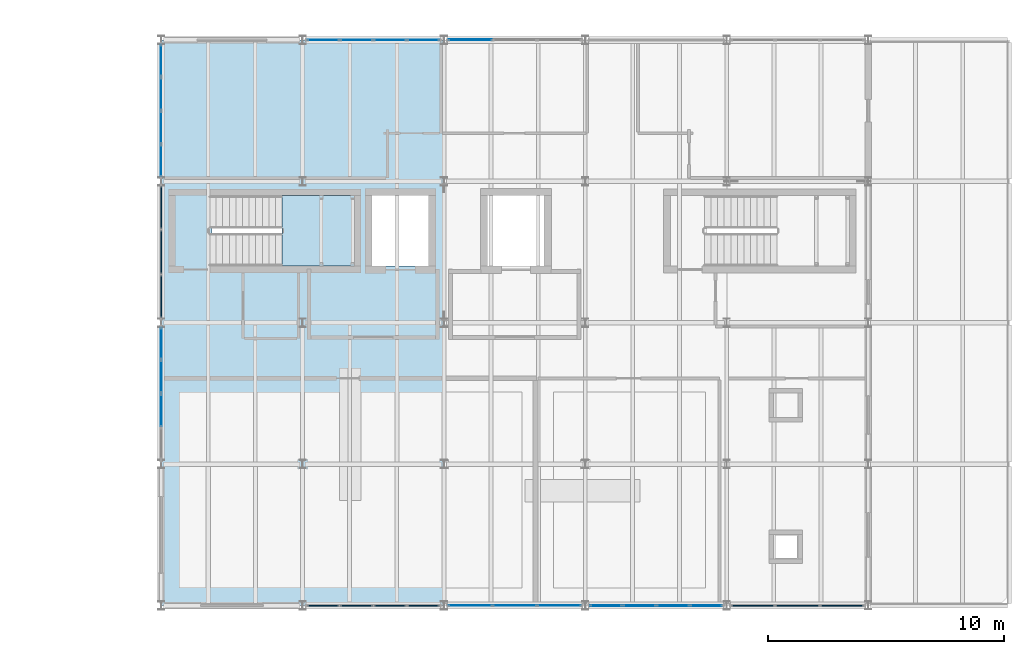
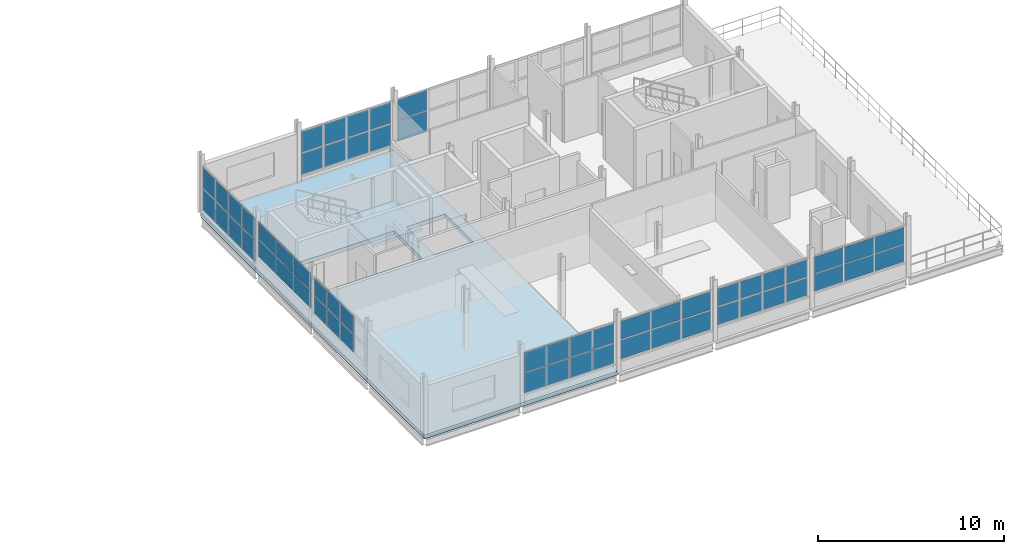
# One storey, part 13 of 23: 58 plates, 2 slabs, 10 elements without a shape of their own.
"""IFC4 building model written with IfcOpenShell, lengths in metres."""

import ifcopenshell
import ifcopenshell.guid

model = None  # the IFC model being written
_history = None  # IfcOwnerHistory: only IFC2X3 demands one
_inside = {}  # id of a spatial element -> (the spatial element, [elements in it])
_under = {}  # id of a project, library or spatial element -> (it, [spatial elements below it])
_declared = {}  # id of a project -> (the project, [libraries it declares])
_typed = {}  # id of a type object -> (the type object, [elements of that type])
_made_of = {}  # id of a material, layer set ... -> (it, [elements and type objects made of it])


def new_model(schema):
    """Start an empty IFC model of exactly this schema.

    Asked for "IFC4X3", IfcOpenShell would pick the latest addendum, in which some entities
    have other attributes; the version numbers below select the first issue.
    IFC2X3 requires an IfcOwnerHistory on every rooted entity: one is made here for all.
    """
    global model, _history
    if schema == "IFC4X3":
        model = ifcopenshell.file(schema_version=(4, 3, 0, 0))
    else:
        model = ifcopenshell.file(schema=schema)
    _inside.clear()
    _under.clear()
    _declared.clear()
    _typed.clear()
    _made_of.clear()
    _history = None
    if model.schema == "IFC2X3":
        org = make("IfcOrganization", Name="unknown")
        user = make(
            "IfcPersonAndOrganization",
            ThePerson=make("IfcPerson", FamilyName="unknown"),
            TheOrganization=org,
        )
        app = make(
            "IfcApplication",
            ApplicationDeveloper=org,
            Version="unknown",
            ApplicationFullName="unknown",
            ApplicationIdentifier="unknown",
        )
        _history = make(
            "IfcOwnerHistory",
            OwningUser=user,
            OwningApplication=app,
            ChangeAction="ADDED",
            CreationDate=0,
        )
    return model


def make(cls, **values):
    """One entity of the class cls with the attributes given. An attribute that is None is left unset."""
    return model.create_entity(
        cls, **{name: value for name, value in values.items() if value is not None}
    )


def rooted(cls, **values):
    """An entity with a GlobalId (a new one), such as an element, a storey or a relation."""
    return make(cls, GlobalId=ifcopenshell.guid.new(), OwnerHistory=_history, **values)


def si_unit(unit_type, name, prefix=None):
    """IfcSIUnit, for example si_unit("LENGTHUNIT", "METRE", prefix="MILLI")."""
    return make("IfcSIUnit", UnitType=unit_type, Prefix=prefix, Name=name)


def assignment(units):
    """IfcUnitAssignment: the units of a project."""
    return None if units is None else make("IfcUnitAssignment", Units=units)


def point(xyz):
    """IfcCartesianPoint."""
    return None if xyz is None else make("IfcCartesianPoint", Coordinates=xyz)


def direction(xyz):
    """IfcDirection."""
    return None if xyz is None else make("IfcDirection", DirectionRatios=xyz)


def frame(location, z_axis=None, x_axis=None):
    """IfcAxis2Placement3D, a coordinate frame: its origin and axes. An axis left out is left unset."""
    return make(
        "IfcAxis2Placement3D",
        Location=point(location),
        Axis=direction(z_axis),
        RefDirection=direction(x_axis),
    )


def frame_2d(location, x_axis=None):
    """IfcAxis2Placement2D, a coordinate frame in the plane: its origin and x axis."""
    return make(
        "IfcAxis2Placement2D", Location=point(location), RefDirection=direction(x_axis)
    )


def origin():
    """The frame at (0, 0, 0) with its axes left unset."""
    return frame((0.0, 0.0, 0.0))


def origin_2d():
    """The frame at (0, 0) in the plane with its x axis left unset."""
    return frame_2d((0.0, 0.0))


def place(relative_to, where):
    """IfcLocalPlacement: puts the frame where relative to a parent placement (None: the world)."""
    return make(
        "IfcLocalPlacement", PlacementRelTo=relative_to, RelativePlacement=where
    )


def context(
    kind, dimensions, precision=None, world=None, true_north=None, identifier=None
):
    """IfcGeometricRepresentationContext, for example the 3D "Model" context."""
    return make(
        "IfcGeometricRepresentationContext",
        ContextIdentifier=identifier,
        ContextType=kind,
        CoordinateSpaceDimension=dimensions,
        Precision=precision,
        WorldCoordinateSystem=world,
        TrueNorth=true_north,
    )


def subcontext(parent, identifier, kind, view, scale=None):
    """IfcGeometricRepresentationSubContext, for example "Body" below "Model"."""
    return make(
        "IfcGeometricRepresentationSubContext",
        ContextIdentifier=identifier,
        ContextType=kind,
        ParentContext=parent,
        TargetScale=scale,
        TargetView=view,
    )


def project(units=None, contexts=None):
    """IfcProject with its units and contexts."""
    return rooted(
        "IfcProject",
        Name="project",
        RepresentationContexts=contexts,
        UnitsInContext=assignment(units),
    )


def spatial(cls, under=None, at=None, **own):
    """A site, building, storey or space (cls), placed at a placement, below another one or the project."""
    s = rooted(cls, ObjectPlacement=at, **own)
    if under is not None:
        _under.setdefault(under.id(), (under, []))[1].append(s)
    return s


def polyline(points):
    """IfcPolyline through the points."""
    return make("IfcPolyline", Points=[point(p) for p in points])


def profile(cls, at=None, kind="AREA", **sizes):
    """A parametric profile (cls). Its sizes go by their IFC names, for example OverallWidth=200.0."""
    return make(cls, ProfileType=kind, Position=at, **sizes)


def rectangle(**sizes):
    """IfcRectangleProfileDef."""
    return profile("IfcRectangleProfileDef", **sizes)


def outline(outer, holes=None, kind="AREA"):
    """IfcArbitraryClosedProfileDef: a profile drawn as a closed curve; with holes, ...WithVoids."""
    if holes is None:
        return make("IfcArbitraryClosedProfileDef", ProfileType=kind, OuterCurve=outer)
    return make(
        "IfcArbitraryProfileDefWithVoids",
        ProfileType=kind,
        OuterCurve=outer,
        InnerCurves=holes,
    )


def extrude(swept, where, along, depth):
    """IfcExtrudedAreaSolid: the profile swept, set in the frame where, extruded along a direction by depth."""
    return make(
        "IfcExtrudedAreaSolid",
        SweptArea=swept,
        Position=where,
        ExtrudedDirection=direction(along),
        Depth=depth,
    )


def shape(context_of_items, identifier, shape_type, items):
    """IfcShapeRepresentation: the items that make up one representation, for example the "Body"."""
    return make(
        "IfcShapeRepresentation",
        ContextOfItems=context_of_items,
        RepresentationIdentifier=identifier,
        RepresentationType=shape_type,
        Items=items,
    )


def material(Name=None, Category=None):
    """IfcMaterial."""
    return make("IfcMaterial", Name=Name, Category=Category)


def layer(
    of_material, thickness, ventilated=None, Name=None, Category=None, Priority=None
):
    """IfcMaterialLayer: one layer of a wall or slab, of a material (None: an air gap)."""
    return make(
        "IfcMaterialLayer",
        Material=of_material,
        LayerThickness=thickness,
        IsVentilated=ventilated,
        Name=Name,
        Category=Category,
        Priority=Priority,
    )


def layer_set(layers, Name=None):
    """IfcMaterialLayerSet."""
    return make("IfcMaterialLayerSet", MaterialLayers=layers, LayerSetName=Name)


def made_of(thing, what):
    """Note that an element or type object is made of a material, layer set ...; save() writes the relation."""
    if what is not None:
        _made_of.setdefault(what.id(), (what, []))[1].append(thing)
    return thing


def type_object(cls, material=None, **own):
    """A type object (cls), such as IfcWallType, which elements share."""
    return made_of(rooted(cls, **own), material)


def element(
    cls,
    number,
    at=None,
    inside=None,
    cuts=None,
    type_object=None,
    material=None,
    context=None,
    identifier="Body",
    shape_type=None,
    held_by="IfcProductDefinitionShape",
    body=None,
    shapes=None,
    **own,
):
    """One element of the class cls, such as IfcWall. Its Tag is "e" and its number.

    at: its placement. inside: the storey or other place that contains it. cuts: it is an
    opening in that element (IfcRelVoidsElement). A single representation is given by context,
    identifier, shape_type and body (its items); several are given by shapes. held_by: the class
    of the entity that holds the representations. save() writes the other relations.
    """
    e = rooted(cls, Tag="e%d" % number, ObjectPlacement=at, **own)
    if body is not None:
        shapes = [shape(context, identifier, shape_type, body)]
    if shapes is not None:
        e.Representation = make(held_by, Representations=shapes)
    if inside is not None:
        _inside.setdefault(inside.id(), (inside, []))[1].append(e)
    if cuts is not None:
        rooted(
            "IfcRelVoidsElement", RelatingBuildingElement=cuts, RelatedOpeningElement=e
        )
    if type_object is not None:
        _typed.setdefault(type_object.id(), (type_object, []))[1].append(e)
    return made_of(e, material)


def aggregate(whole, parts):
    """IfcRelAggregates: a whole, such as a stair, and the parts it consists of."""
    return rooted("IfcRelAggregates", RelatingObject=whole, RelatedObjects=parts)


def save(model, path):
    """Write the relations noted so far, then the file.

    IfcRelAggregates (storeys below a building ...), IfcRelContainedInSpatialStructure (elements
    in a storey), IfcRelDefinesByType, IfcRelAssociatesMaterial and IfcRelDeclares: one each for
    every whole, place, type object, material and project.
    """
    for whole, parts in _under.values():
        aggregate(whole, parts)
    for where, things in _inside.values():
        rooted(
            "IfcRelContainedInSpatialStructure",
            RelatedElements=things,
            RelatingStructure=where,
        )
    for kind, things in _typed.values():
        rooted("IfcRelDefinesByType", RelatedObjects=things, RelatingType=kind)
    for what, things in _made_of.values():
        rooted("IfcRelAssociatesMaterial", RelatedObjects=things, RelatingMaterial=what)
    for by, libraries in _declared.values():
        rooted("IfcRelDeclares", RelatingContext=by, RelatedDefinitions=libraries)
    model.write(path)


model = new_model("IFC4")

# Units and contexts
model_context = context("Model", 3, precision=1e-05, world=origin(), true_north=direction((0.0, 1.0)))
body_context = subcontext(model_context, "Body", "Model", "MODEL_VIEW")
ifc_project = project(units=[si_unit("LENGTHUNIT", "METRE"), si_unit("AREAUNIT", "SQUARE_METRE"), si_unit("VOLUMEUNIT", "CUBIC_METRE"), si_unit("PLANEANGLEUNIT", "RADIAN"), si_unit("MASSUNIT", "GRAM", prefix="KILO")], contexts=[model_context])

# Site, building, storey
site_placement = place(None, origin())
site = spatial("IfcSite", under=ifc_project, at=site_placement, CompositionType="ELEMENT")
building_placement = place(site_placement, origin())
building = spatial("IfcBuilding", under=site, at=building_placement, Name="Siltcreek Boulevard Central Fire Station", CompositionType="ELEMENT")
storey_placement = place(building_placement, frame((0.0, 0.0, 14.0)))
storey = spatial("IfcBuildingStorey", under=building, at=storey_placement, Name="L04", CompositionType="ELEMENT", Elevation=14.0)

# Curtain wall, plates
ifc_material_1 = material(Name="Anodized aluminum and low-E insulated glazing", Category="aluminium")
curtain_wall_type_1 = type_object("IfcCurtainWallType", Name="CW_SYS_16", PredefinedType="USERDEFINED", material=ifc_material_1)
curtain_wall_1_placement = place(storey_placement, origin())
curtain_wall_1 = element("IfcCurtainWall", 1, at=curtain_wall_1_placement, inside=storey, type_object=curtain_wall_type_1, Name="L04 V5 unitised curtain wall CW-165", ObjectType="CURTAIN WALL", PredefinedType="USERDEFINED")
ifc_material_2 = material(Name="Low-E double insulated glass unit", Category="glass")
ifc_layer_1 = layer(ifc_material_2, 0.028076171875, Name="Low-E double insulated glass unit")
ifc_layer_set_1 = layer_set([ifc_layer_1], Name="Low-E double insulated glass unit")
plate_type_1 = type_object("IfcPlateType", Name="CWP_GLZ_1", PredefinedType="CURTAIN_PANEL", material=ifc_layer_set_1)
plate_1_placement = place(storey_placement, frame((137.311767578125, 88.199951171875, 0.740234375), z_axis=(0.0, 0.0, 1.0), x_axis=(1.0, 0.0, 0.0)))
plate_1 = element("IfcPlate", 2, at=plate_1_placement, type_object=plate_type_1, Name="CW-165 panel 1.1", PredefinedType="CURTAIN_PANEL", context=body_context, shape_type="SweptSolid", body=[
    extrude(rectangle(XDim=1.813232421875, YDim=0.028076171875, at=origin_2d()), origin(), (0.0, 0.0, 1.0), 1.219482421875),
])
plate_2_placement = place(storey_placement, frame((137.311767578125, 88.199951171875, 2.01953125), z_axis=(0.0, 0.0, 1.0), x_axis=(1.0, 0.0, 0.0)))
plate_2 = element("IfcPlate", 3, at=plate_2_placement, type_object=plate_type_1, Name="CW-165 panel 1.2", PredefinedType="CURTAIN_PANEL", context=body_context, shape_type="SweptSolid", body=[
    extrude(rectangle(XDim=1.813232421875, YDim=0.028076171875, at=origin_2d()), origin(), (0.0, 0.0, 1.0), 1.219482421875),
])
plate_3_placement = place(storey_placement, frame((139.199951171875, 88.199951171875, 0.740234375), z_axis=(0.0, 0.0, 1.0), x_axis=(1.0, 0.0, 0.0)))
plate_3 = element("IfcPlate", 4, at=plate_3_placement, type_object=plate_type_1, Name="CW-165 panel 2.1", PredefinedType="CURTAIN_PANEL", context=body_context, shape_type="SweptSolid", body=[
    extrude(rectangle(XDim=1.84326171875, YDim=0.028076171875, at=origin_2d()), origin(), (0.0, 0.0, 1.0), 1.219482421875),
])
plate_4_placement = place(storey_placement, frame((139.199951171875, 88.199951171875, 2.01953125), z_axis=(0.0, 0.0, 1.0), x_axis=(1.0, 0.0, 0.0)))
plate_4 = element("IfcPlate", 5, at=plate_4_placement, type_object=plate_type_1, Name="CW-165 panel 2.2", PredefinedType="CURTAIN_PANEL", context=body_context, shape_type="SweptSolid", body=[
    extrude(rectangle(XDim=1.84326171875, YDim=0.028076171875, at=origin_2d()), origin(), (0.0, 0.0, 1.0), 1.219482421875),
])
plate_5_placement = place(storey_placement, frame((141.08837890625, 88.199951171875, 0.740234375), z_axis=(0.0, 0.0, 1.0), x_axis=(1.0, 0.0, 0.0)))
plate_5 = element("IfcPlate", 6, at=plate_5_placement, type_object=plate_type_1, Name="CW-165 panel 3.1", PredefinedType="CURTAIN_PANEL", context=body_context, shape_type="SweptSolid", body=[
    extrude(rectangle(XDim=1.813232421875, YDim=0.028076171875, at=origin_2d()), origin(), (0.0, 0.0, 1.0), 1.219482421875),
])
plate_6_placement = place(storey_placement, frame((141.08837890625, 88.199951171875, 2.01953125), z_axis=(0.0, 0.0, 1.0), x_axis=(1.0, 0.0, 0.0)))
plate_6 = element("IfcPlate", 7, at=plate_6_placement, type_object=plate_type_1, Name="CW-165 panel 3.2", PredefinedType="CURTAIN_PANEL", context=body_context, shape_type="SweptSolid", body=[
    extrude(rectangle(XDim=1.813232421875, YDim=0.028076171875, at=origin_2d()), origin(), (0.0, 0.0, 1.0), 1.219482421875),
])
aggregate(curtain_wall_1, [plate_1, plate_2, plate_3, plate_4, plate_5, plate_6])

curtain_wall_type_2 = type_object("IfcCurtainWallType", Name="CW_SYS_19", PredefinedType="USERDEFINED", material=ifc_material_1)
curtain_wall_2_placement = place(storey_placement, origin())
curtain_wall_2 = element("IfcCurtainWall", 8, at=curtain_wall_2_placement, inside=storey, type_object=curtain_wall_type_2, Name="L04 V5 unitised curtain wall CW-168", ObjectType="CURTAIN WALL", PredefinedType="USERDEFINED")
plate_7_placement = place(storey_placement, frame((135.324951171875, 112.199951171875, 0.385009765625), z_axis=(0.0, 0.0, 1.0), x_axis=(-1.0, 0.0, 0.0)))
plate_7 = element("IfcPlate", 9, at=plate_7_placement, type_object=plate_type_1, Name="CW-168 panel 1.1", PredefinedType="CURTAIN_PANEL", context=body_context, shape_type="SweptSolid", body=[
    extrude(rectangle(XDim=1.330078125, YDim=0.028076171875, at=origin_2d()), origin(), (0.0, 0.0, 1.0), 1.376953125),
])
plate_8_placement = place(storey_placement, frame((135.324951171875, 112.199951171875, 1.826904296875), z_axis=(0.0, 0.0, 1.0), x_axis=(-1.0, 0.0, 0.0)))
plate_8 = element("IfcPlate", 10, at=plate_8_placement, type_object=plate_type_1, Name="CW-168 panel 1.2", PredefinedType="CURTAIN_PANEL", context=body_context, shape_type="SweptSolid", body=[
    extrude(rectangle(XDim=1.330078125, YDim=0.028076171875, at=origin_2d()), origin(), (0.0, 0.0, 1.0), 1.376953125),
])
plate_9_placement = place(storey_placement, frame((133.913818359375, 112.199951171875, 0.385009765625), z_axis=(0.0, 0.0, 1.0), x_axis=(-1.0, 0.0, 0.0)))
plate_9 = element("IfcPlate", 11, at=plate_9_placement, type_object=plate_type_1, Name="CW-168 panel 2.1", PredefinedType="CURTAIN_PANEL", context=body_context, shape_type="SweptSolid", body=[
    extrude(rectangle(XDim=1.362548828125, YDim=0.028076171875, at=origin_2d()), origin(), (0.0, 0.0, 1.0), 1.376953125),
])
plate_10_placement = place(storey_placement, frame((133.913818359375, 112.199951171875, 1.826904296875), z_axis=(0.0, 0.0, 1.0), x_axis=(-1.0, 0.0, 0.0)))
plate_10 = element("IfcPlate", 12, at=plate_10_placement, type_object=plate_type_1, Name="CW-168 panel 2.2", PredefinedType="CURTAIN_PANEL", context=body_context, shape_type="SweptSolid", body=[
    extrude(rectangle(XDim=1.362548828125, YDim=0.028076171875, at=origin_2d()), origin(), (0.0, 0.0, 1.0), 1.376953125),
])
plate_11_placement = place(storey_placement, frame((132.486328125, 112.199951171875, 0.385009765625), z_axis=(0.0, 0.0, 1.0), x_axis=(-1.0, 0.0, 0.0)))
plate_11 = element("IfcPlate", 13, at=plate_11_placement, type_object=plate_type_1, Name="CW-168 panel 3.1", PredefinedType="CURTAIN_PANEL", context=body_context, shape_type="SweptSolid", body=[
    extrude(rectangle(XDim=1.362548828125, YDim=0.028076171875, at=origin_2d()), origin(), (0.0, 0.0, 1.0), 1.376953125),
])
plate_12_placement = place(storey_placement, frame((132.486328125, 112.199951171875, 1.826904296875), z_axis=(0.0, 0.0, 1.0), x_axis=(-1.0, 0.0, 0.0)))
plate_12 = element("IfcPlate", 14, at=plate_12_placement, type_object=plate_type_1, Name="CW-168 panel 3.2", PredefinedType="CURTAIN_PANEL", context=body_context, shape_type="SweptSolid", body=[
    extrude(rectangle(XDim=1.362548828125, YDim=0.028076171875, at=origin_2d()), origin(), (0.0, 0.0, 1.0), 1.376953125),
])
plate_13_placement = place(storey_placement, frame((131.074951171875, 112.199951171875, 0.385009765625), z_axis=(0.0, 0.0, 1.0), x_axis=(-1.0, 0.0, 0.0)))
plate_13 = element("IfcPlate", 15, at=plate_13_placement, type_object=plate_type_1, Name="CW-168 panel 4.1", PredefinedType="CURTAIN_PANEL", context=body_context, shape_type="SweptSolid", body=[
    extrude(rectangle(XDim=1.330078125, YDim=0.028076171875, at=origin_2d()), origin(), (0.0, 0.0, 1.0), 1.376953125),
])
plate_14_placement = place(storey_placement, frame((131.074951171875, 112.199951171875, 1.826904296875), z_axis=(0.0, 0.0, 1.0), x_axis=(-1.0, 0.0, 0.0)))
plate_14 = element("IfcPlate", 16, at=plate_14_placement, type_object=plate_type_1, Name="CW-168 panel 4.2", PredefinedType="CURTAIN_PANEL", context=body_context, shape_type="SweptSolid", body=[
    extrude(rectangle(XDim=1.330078125, YDim=0.028076171875, at=origin_2d()), origin(), (0.0, 0.0, 1.0), 1.376953125),
])
aggregate(curtain_wall_2, [plate_7, plate_8, plate_9, plate_10, plate_11, plate_12, plate_13, plate_14])

curtain_wall_type_3 = type_object("IfcCurtainWallType", Name="CW_SYS_25", PredefinedType="USERDEFINED", material=ifc_material_1)
curtain_wall_3_placement = place(storey_placement, origin())
curtain_wall_3 = element("IfcCurtainWall", 17, at=curtain_wall_3_placement, inside=storey, type_object=curtain_wall_type_3, Name="L04 V5 unitised curtain wall CW-174", ObjectType="CURTAIN WALL", PredefinedType="USERDEFINED")
plate_15_placement = place(storey_placement, frame((124.199951171875, 111.324951171875, 0.385009765625), z_axis=(0.0, 0.0, 1.0), x_axis=(0.0, -1.0, 0.0)))
plate_15 = element("IfcPlate", 18, at=plate_15_placement, type_object=plate_type_1, Name="CW-174 panel 1.1", PredefinedType="CURTAIN_PANEL", context=body_context, shape_type="SweptSolid", body=[
    extrude(rectangle(XDim=1.330078125, YDim=0.028076171875, at=origin_2d()), origin(), (0.0, 0.0, 1.0), 1.37890625),
])
plate_16_placement = place(storey_placement, frame((124.199951171875, 111.324951171875, 1.8291015625), z_axis=(0.0, 0.0, 1.0), x_axis=(0.0, -1.0, 0.0)))
plate_16 = element("IfcPlate", 19, at=plate_16_placement, type_object=plate_type_1, Name="CW-174 panel 1.2", PredefinedType="CURTAIN_PANEL", context=body_context, shape_type="SweptSolid", body=[
    extrude(rectangle(XDim=1.330078125, YDim=0.028076171875, at=origin_2d()), origin(), (0.0, 0.0, 1.0), 1.37890625),
])
plate_17_placement = place(storey_placement, frame((124.199951171875, 109.913818359375, 0.385009765625), z_axis=(0.0, 0.0, 1.0), x_axis=(0.0, -1.0, 0.0)))
plate_17 = element("IfcPlate", 20, at=plate_17_placement, type_object=plate_type_1, Name="CW-174 panel 2.1", PredefinedType="CURTAIN_PANEL", context=body_context, shape_type="SweptSolid", body=[
    extrude(rectangle(XDim=1.362548828125, YDim=0.028076171875, at=origin_2d()), origin(), (0.0, 0.0, 1.0), 1.37890625),
])
plate_18_placement = place(storey_placement, frame((124.199951171875, 109.913818359375, 1.8291015625), z_axis=(0.0, 0.0, 1.0), x_axis=(0.0, -1.0, 0.0)))
plate_18 = element("IfcPlate", 21, at=plate_18_placement, type_object=plate_type_1, Name="CW-174 panel 2.2", PredefinedType="CURTAIN_PANEL", context=body_context, shape_type="SweptSolid", body=[
    extrude(rectangle(XDim=1.362548828125, YDim=0.028076171875, at=origin_2d()), origin(), (0.0, 0.0, 1.0), 1.37890625),
])
plate_19_placement = place(storey_placement, frame((124.199951171875, 108.486328125, 0.385009765625), z_axis=(0.0, 0.0, 1.0), x_axis=(0.0, -1.0, 0.0)))
plate_19 = element("IfcPlate", 22, at=plate_19_placement, type_object=plate_type_1, Name="CW-174 panel 3.1", PredefinedType="CURTAIN_PANEL", context=body_context, shape_type="SweptSolid", body=[
    extrude(rectangle(XDim=1.362548828125, YDim=0.028076171875, at=origin_2d()), origin(), (0.0, 0.0, 1.0), 1.37890625),
])
plate_20_placement = place(storey_placement, frame((124.199951171875, 108.486328125, 1.8291015625), z_axis=(0.0, 0.0, 1.0), x_axis=(0.0, -1.0, 0.0)))
plate_20 = element("IfcPlate", 23, at=plate_20_placement, type_object=plate_type_1, Name="CW-174 panel 3.2", PredefinedType="CURTAIN_PANEL", context=body_context, shape_type="SweptSolid", body=[
    extrude(rectangle(XDim=1.362548828125, YDim=0.028076171875, at=origin_2d()), origin(), (0.0, 0.0, 1.0), 1.37890625),
])
plate_21_placement = place(storey_placement, frame((124.199951171875, 107.074951171875, 0.385009765625), z_axis=(0.0, 0.0, 1.0), x_axis=(0.0, -1.0, 0.0)))
plate_21 = element("IfcPlate", 24, at=plate_21_placement, type_object=plate_type_1, Name="CW-174 panel 4.1", PredefinedType="CURTAIN_PANEL", context=body_context, shape_type="SweptSolid", body=[
    extrude(rectangle(XDim=1.330078125, YDim=0.028076171875, at=origin_2d()), origin(), (0.0, 0.0, 1.0), 1.37890625),
])
plate_22_placement = place(storey_placement, frame((124.199951171875, 107.074951171875, 1.8291015625), z_axis=(0.0, 0.0, 1.0), x_axis=(0.0, -1.0, 0.0)))
plate_22 = element("IfcPlate", 25, at=plate_22_placement, type_object=plate_type_1, Name="CW-174 panel 4.2", PredefinedType="CURTAIN_PANEL", context=body_context, shape_type="SweptSolid", body=[
    extrude(rectangle(XDim=1.330078125, YDim=0.028076171875, at=origin_2d()), origin(), (0.0, 0.0, 1.0), 1.37890625),
])
aggregate(curtain_wall_3, [plate_15, plate_16, plate_17, plate_18, plate_19, plate_20, plate_21, plate_22])

curtain_wall_type_4 = type_object("IfcCurtainWallType", Name="CW_SYS_17", PredefinedType="USERDEFINED", material=ifc_material_1)
curtain_wall_4_placement = place(storey_placement, origin())
curtain_wall_4 = element("IfcCurtainWall", 26, at=curtain_wall_4_placement, inside=storey, type_object=curtain_wall_type_4, Name="L04 V5 unitised curtain wall CW-166", ObjectType="CURTAIN WALL", PredefinedType="USERDEFINED")
ifc_layer_2 = layer(ifc_material_2, 0.0380859375, Name="Low-E double insulated glass unit")
ifc_layer_set_2 = layer_set([ifc_layer_2], Name="Low-E double insulated glass unit")
plate_type_2 = type_object("IfcPlateType", Name="CWP_GLZ_2", PredefinedType="CURTAIN_PANEL", material=ifc_layer_set_2)
plate_23_placement = place(storey_placement, frame((143.074951171875, 88.199951171875, 0.86474609375), z_axis=(0.0, 0.0, 1.0), x_axis=(1.0, 0.0, 0.0)))
plate_23 = element("IfcPlate", 27, at=plate_23_placement, type_object=plate_type_2, Name="CW-166 panel 1.1", PredefinedType="CURTAIN_PANEL", context=body_context, shape_type="SweptSolid", body=[
    extrude(rectangle(XDim=1.330078125, YDim=0.0380859375, at=origin_2d()), origin(), (0.0, 0.0, 1.0), 1.152099609375),
])
plate_24_placement = place(storey_placement, frame((143.074951171875, 88.199951171875, 2.08203125), z_axis=(0.0, 0.0, 1.0), x_axis=(1.0, 0.0, 0.0)))
plate_24 = element("IfcPlate", 28, at=plate_24_placement, type_object=plate_type_2, Name="CW-166 panel 1.2", PredefinedType="CURTAIN_PANEL", context=body_context, shape_type="SweptSolid", body=[
    extrude(rectangle(XDim=1.330078125, YDim=0.0380859375, at=origin_2d()), origin(), (0.0, 0.0, 1.0), 1.152099609375),
])
plate_25_placement = place(storey_placement, frame((144.486328125, 88.199951171875, 0.86474609375), z_axis=(0.0, 0.0, 1.0), x_axis=(1.0, 0.0, 0.0)))
plate_25 = element("IfcPlate", 29, at=plate_25_placement, type_object=plate_type_2, Name="CW-166 panel 2.1", PredefinedType="CURTAIN_PANEL", context=body_context, shape_type="SweptSolid", body=[
    extrude(rectangle(XDim=1.362548828125, YDim=0.0380859375, at=origin_2d()), origin(), (0.0, 0.0, 1.0), 1.152099609375),
])
plate_26_placement = place(storey_placement, frame((144.486328125, 88.199951171875, 2.08203125), z_axis=(0.0, 0.0, 1.0), x_axis=(1.0, 0.0, 0.0)))
plate_26 = element("IfcPlate", 30, at=plate_26_placement, type_object=plate_type_2, Name="CW-166 panel 2.2", PredefinedType="CURTAIN_PANEL", context=body_context, shape_type="SweptSolid", body=[
    extrude(rectangle(XDim=1.362548828125, YDim=0.0380859375, at=origin_2d()), origin(), (0.0, 0.0, 1.0), 1.152099609375),
])
plate_27_placement = place(storey_placement, frame((145.913818359375, 88.199951171875, 0.86474609375), z_axis=(0.0, 0.0, 1.0), x_axis=(1.0, 0.0, 0.0)))
plate_27 = element("IfcPlate", 31, at=plate_27_placement, type_object=plate_type_2, Name="CW-166 panel 3.1", PredefinedType="CURTAIN_PANEL", context=body_context, shape_type="SweptSolid", body=[
    extrude(rectangle(XDim=1.362548828125, YDim=0.0380859375, at=origin_2d()), origin(), (0.0, 0.0, 1.0), 1.152099609375),
])
plate_28_placement = place(storey_placement, frame((145.913818359375, 88.199951171875, 2.08203125), z_axis=(0.0, 0.0, 1.0), x_axis=(1.0, 0.0, 0.0)))
plate_28 = element("IfcPlate", 32, at=plate_28_placement, type_object=plate_type_2, Name="CW-166 panel 3.2", PredefinedType="CURTAIN_PANEL", context=body_context, shape_type="SweptSolid", body=[
    extrude(rectangle(XDim=1.362548828125, YDim=0.0380859375, at=origin_2d()), origin(), (0.0, 0.0, 1.0), 1.152099609375),
])
plate_29_placement = place(storey_placement, frame((147.324951171875, 88.199951171875, 0.86474609375), z_axis=(0.0, 0.0, 1.0), x_axis=(1.0, 0.0, 0.0)))
plate_29 = element("IfcPlate", 33, at=plate_29_placement, type_object=plate_type_2, Name="CW-166 panel 4.1", PredefinedType="CURTAIN_PANEL", context=body_context, shape_type="SweptSolid", body=[
    extrude(rectangle(XDim=1.330078125, YDim=0.0380859375, at=origin_2d()), origin(), (0.0, 0.0, 1.0), 1.152099609375),
])
plate_30_placement = place(storey_placement, frame((147.324951171875, 88.199951171875, 2.08203125), z_axis=(0.0, 0.0, 1.0), x_axis=(1.0, 0.0, 0.0)))
plate_30 = element("IfcPlate", 34, at=plate_30_placement, type_object=plate_type_2, Name="CW-166 panel 4.2", PredefinedType="CURTAIN_PANEL", context=body_context, shape_type="SweptSolid", body=[
    extrude(rectangle(XDim=1.330078125, YDim=0.0380859375, at=origin_2d()), origin(), (0.0, 0.0, 1.0), 1.152099609375),
])
aggregate(curtain_wall_4, [plate_23, plate_24, plate_25, plate_26, plate_27, plate_28, plate_29, plate_30])

curtain_wall_type_5 = type_object("IfcCurtainWallType", Name="CW_SYS_20", PredefinedType="USERDEFINED", material=ifc_material_1)
curtain_wall_5_placement = place(storey_placement, origin())
curtain_wall_5 = element("IfcCurtainWall", 35, at=curtain_wall_5_placement, inside=storey, type_object=curtain_wall_type_5, Name="L04 V5 unitised curtain wall CW-169", ObjectType="CURTAIN WALL", PredefinedType="USERDEFINED")
plate_31_placement = place(storey_placement, frame((137.311767578125, 112.199951171875, 0.5), z_axis=(0.0, 0.0, 1.0), x_axis=(-1.0, 0.0, 0.0)))
plate_31 = element("IfcPlate", 36, at=plate_31_placement, type_object=plate_type_2, Name="CW-169 panel 3.1", PredefinedType="CURTAIN_PANEL", context=body_context, shape_type="SweptSolid", body=[
    extrude(rectangle(XDim=1.813232421875, YDim=0.0380859375, at=origin_2d()), origin(), (0.0, 0.0, 1.0), 1.324462890625),
])
plate_32_placement = place(storey_placement, frame((137.311767578125, 112.199951171875, 1.88427734375), z_axis=(0.0, 0.0, 1.0), x_axis=(-1.0, 0.0, 0.0)))
plate_32 = element("IfcPlate", 37, at=plate_32_placement, type_object=plate_type_2, Name="CW-169 panel 3.2", PredefinedType="CURTAIN_PANEL", context=body_context, shape_type="SweptSolid", body=[
    extrude(rectangle(XDim=1.813232421875, YDim=0.0380859375, at=origin_2d()), origin(), (0.0, 0.0, 1.0), 1.324462890625),
])
aggregate(curtain_wall_5, [plate_31, plate_32])

curtain_wall_type_6 = type_object("IfcCurtainWallType", Name="CW_SYS_23", PredefinedType="USERDEFINED", material=ifc_material_1)
curtain_wall_6_placement = place(storey_placement, origin())
curtain_wall_6 = element("IfcCurtainWall", 38, at=curtain_wall_6_placement, inside=storey, type_object=curtain_wall_type_6, Name="L04 V5 unitised curtain wall CW-172", ObjectType="CURTAIN WALL", PredefinedType="USERDEFINED")
plate_33_placement = place(storey_placement, frame((124.199951171875, 99.324951171875, 0.865234375), z_axis=(0.0, 0.0, 1.0), x_axis=(0.0, -1.0, 0.0)))
plate_33 = element("IfcPlate", 39, at=plate_33_placement, type_object=plate_type_2, Name="CW-172 panel 1.1", PredefinedType="CURTAIN_PANEL", context=body_context, shape_type="SweptSolid", body=[
    extrude(rectangle(XDim=1.330078125, YDim=0.0380859375, at=origin_2d()), origin(), (0.0, 0.0, 1.0), 1.138916015625),
])
plate_34_placement = place(storey_placement, frame((124.199951171875, 99.324951171875, 2.06884765625), z_axis=(0.0, 0.0, 1.0), x_axis=(0.0, -1.0, 0.0)))
plate_34 = element("IfcPlate", 40, at=plate_34_placement, type_object=plate_type_2, Name="CW-172 panel 1.2", PredefinedType="CURTAIN_PANEL", context=body_context, shape_type="SweptSolid", body=[
    extrude(rectangle(XDim=1.330078125, YDim=0.0380859375, at=origin_2d()), origin(), (0.0, 0.0, 1.0), 1.138916015625),
])
plate_35_placement = place(storey_placement, frame((124.199951171875, 97.913818359375, 0.865234375), z_axis=(0.0, 0.0, 1.0), x_axis=(0.0, -1.0, 0.0)))
plate_35 = element("IfcPlate", 41, at=plate_35_placement, type_object=plate_type_2, Name="CW-172 panel 2.1", PredefinedType="CURTAIN_PANEL", context=body_context, shape_type="SweptSolid", body=[
    extrude(rectangle(XDim=1.362548828125, YDim=0.0380859375, at=origin_2d()), origin(), (0.0, 0.0, 1.0), 1.138916015625),
])
plate_36_placement = place(storey_placement, frame((124.199951171875, 97.913818359375, 2.06884765625), z_axis=(0.0, 0.0, 1.0), x_axis=(0.0, -1.0, 0.0)))
plate_36 = element("IfcPlate", 42, at=plate_36_placement, type_object=plate_type_2, Name="CW-172 panel 2.2", PredefinedType="CURTAIN_PANEL", context=body_context, shape_type="SweptSolid", body=[
    extrude(rectangle(XDim=1.362548828125, YDim=0.0380859375, at=origin_2d()), origin(), (0.0, 0.0, 1.0), 1.138916015625),
])
plate_37_placement = place(storey_placement, frame((124.199951171875, 96.486328125, 0.865234375), z_axis=(0.0, 0.0, 1.0), x_axis=(0.0, -1.0, 0.0)))
plate_37 = element("IfcPlate", 43, at=plate_37_placement, type_object=plate_type_2, Name="CW-172 panel 3.1", PredefinedType="CURTAIN_PANEL", context=body_context, shape_type="SweptSolid", body=[
    extrude(rectangle(XDim=1.362548828125, YDim=0.0380859375, at=origin_2d()), origin(), (0.0, 0.0, 1.0), 1.138916015625),
])
plate_38_placement = place(storey_placement, frame((124.199951171875, 96.486328125, 2.06884765625), z_axis=(0.0, 0.0, 1.0), x_axis=(0.0, -1.0, 0.0)))
plate_38 = element("IfcPlate", 44, at=plate_38_placement, type_object=plate_type_2, Name="CW-172 panel 3.2", PredefinedType="CURTAIN_PANEL", context=body_context, shape_type="SweptSolid", body=[
    extrude(rectangle(XDim=1.362548828125, YDim=0.0380859375, at=origin_2d()), origin(), (0.0, 0.0, 1.0), 1.138916015625),
])
aggregate(curtain_wall_6, [plate_33, plate_34, plate_35, plate_36, plate_37, plate_38])

curtain_wall_type_7 = type_object("IfcCurtainWallType", Name="CW_SYS_15", PredefinedType="USERDEFINED", material=ifc_material_1)
curtain_wall_7_placement = place(storey_placement, origin())
curtain_wall_7 = element("IfcCurtainWall", 45, at=curtain_wall_7_placement, inside=storey, type_object=curtain_wall_type_7, Name="L04 V5 unitised curtain wall CW-164", ObjectType="CURTAIN WALL", PredefinedType="USERDEFINED")
ifc_layer_3 = layer(ifc_material_2, 0.048095703125, Name="Low-E double insulated glass unit")
ifc_layer_set_3 = layer_set([ifc_layer_3], Name="Low-E double insulated glass unit")
plate_type_3 = type_object("IfcPlateType", Name="CWP_GLZ_3", PredefinedType="CURTAIN_PANEL", material=ifc_layer_set_3)
plate_39_placement = place(storey_placement, frame((131.074951171875, 88.199951171875, 0.625), z_axis=(0.0, 0.0, 1.0), x_axis=(1.0, 0.0, 0.0)))
plate_39 = element("IfcPlate", 46, at=plate_39_placement, type_object=plate_type_3, Name="CW-164 panel 1.1", PredefinedType="CURTAIN_PANEL", context=body_context, shape_type="SweptSolid", body=[
    extrude(rectangle(XDim=1.330078125, YDim=0.048095703125, at=origin_2d()), origin(), (0.0, 0.0, 1.0), 1.27197265625),
])
plate_40_placement = place(storey_placement, frame((131.074951171875, 88.199951171875, 1.9619140625), z_axis=(0.0, 0.0, 1.0), x_axis=(1.0, 0.0, 0.0)))
plate_40 = element("IfcPlate", 47, at=plate_40_placement, type_object=plate_type_3, Name="CW-164 panel 1.2", PredefinedType="CURTAIN_PANEL", context=body_context, shape_type="SweptSolid", body=[
    extrude(rectangle(XDim=1.330078125, YDim=0.048095703125, at=origin_2d()), origin(), (0.0, 0.0, 1.0), 1.27197265625),
])
plate_41_placement = place(storey_placement, frame((132.486328125, 88.199951171875, 0.625), z_axis=(0.0, 0.0, 1.0), x_axis=(1.0, 0.0, 0.0)))
plate_41 = element("IfcPlate", 48, at=plate_41_placement, type_object=plate_type_3, Name="CW-164 panel 2.1", PredefinedType="CURTAIN_PANEL", context=body_context, shape_type="SweptSolid", body=[
    extrude(rectangle(XDim=1.362548828125, YDim=0.048095703125, at=origin_2d()), origin(), (0.0, 0.0, 1.0), 1.27197265625),
])
plate_42_placement = place(storey_placement, frame((132.486328125, 88.199951171875, 1.9619140625), z_axis=(0.0, 0.0, 1.0), x_axis=(1.0, 0.0, 0.0)))
plate_42 = element("IfcPlate", 49, at=plate_42_placement, type_object=plate_type_3, Name="CW-164 panel 2.2", PredefinedType="CURTAIN_PANEL", context=body_context, shape_type="SweptSolid", body=[
    extrude(rectangle(XDim=1.362548828125, YDim=0.048095703125, at=origin_2d()), origin(), (0.0, 0.0, 1.0), 1.27197265625),
])
plate_43_placement = place(storey_placement, frame((133.913818359375, 88.199951171875, 0.625), z_axis=(0.0, 0.0, 1.0), x_axis=(1.0, 0.0, 0.0)))
plate_43 = element("IfcPlate", 50, at=plate_43_placement, type_object=plate_type_3, Name="CW-164 panel 3.1", PredefinedType="CURTAIN_PANEL", context=body_context, shape_type="SweptSolid", body=[
    extrude(rectangle(XDim=1.362548828125, YDim=0.048095703125, at=origin_2d()), origin(), (0.0, 0.0, 1.0), 1.27197265625),
])
plate_44_placement = place(storey_placement, frame((133.913818359375, 88.199951171875, 1.9619140625), z_axis=(0.0, 0.0, 1.0), x_axis=(1.0, 0.0, 0.0)))
plate_44 = element("IfcPlate", 51, at=plate_44_placement, type_object=plate_type_3, Name="CW-164 panel 3.2", PredefinedType="CURTAIN_PANEL", context=body_context, shape_type="SweptSolid", body=[
    extrude(rectangle(XDim=1.362548828125, YDim=0.048095703125, at=origin_2d()), origin(), (0.0, 0.0, 1.0), 1.27197265625),
])
plate_45_placement = place(storey_placement, frame((135.324951171875, 88.199951171875, 0.625), z_axis=(0.0, 0.0, 1.0), x_axis=(1.0, 0.0, 0.0)))
plate_45 = element("IfcPlate", 52, at=plate_45_placement, type_object=plate_type_3, Name="CW-164 panel 4.1", PredefinedType="CURTAIN_PANEL", context=body_context, shape_type="SweptSolid", body=[
    extrude(rectangle(XDim=1.330078125, YDim=0.048095703125, at=origin_2d()), origin(), (0.0, 0.0, 1.0), 1.27197265625),
])
plate_46_placement = place(storey_placement, frame((135.324951171875, 88.199951171875, 1.9619140625), z_axis=(0.0, 0.0, 1.0), x_axis=(1.0, 0.0, 0.0)))
plate_46 = element("IfcPlate", 53, at=plate_46_placement, type_object=plate_type_3, Name="CW-164 panel 4.2", PredefinedType="CURTAIN_PANEL", context=body_context, shape_type="SweptSolid", body=[
    extrude(rectangle(XDim=1.330078125, YDim=0.048095703125, at=origin_2d()), origin(), (0.0, 0.0, 1.0), 1.27197265625),
])
aggregate(curtain_wall_7, [plate_39, plate_40, plate_41, plate_42, plate_43, plate_44, plate_45, plate_46])

curtain_wall_type_8 = type_object("IfcCurtainWallType", Name="CW_SYS_18", PredefinedType="USERDEFINED", material=ifc_material_1)
curtain_wall_8_placement = place(storey_placement, origin())
curtain_wall_8 = element("IfcCurtainWall", 54, at=curtain_wall_8_placement, inside=storey, type_object=curtain_wall_type_8, Name="L04 V5 unitised curtain wall CW-167", ObjectType="CURTAIN WALL", PredefinedType="USERDEFINED")
plate_47_placement = place(storey_placement, frame((149.311767578125, 88.199951171875, 0.97998046875), z_axis=(0.0, 0.0, 1.0), x_axis=(1.0, 0.0, 0.0)))
plate_47 = element("IfcPlate", 55, at=plate_47_placement, type_object=plate_type_3, Name="CW-167 panel 1.1", PredefinedType="CURTAIN_PANEL", context=body_context, shape_type="SweptSolid", body=[
    extrude(rectangle(XDim=1.813232421875, YDim=0.048095703125, at=origin_2d()), origin(), (0.0, 0.0, 1.0), 1.099609375),
])
plate_48_placement = place(storey_placement, frame((149.311767578125, 88.199951171875, 2.139404296875), z_axis=(0.0, 0.0, 1.0), x_axis=(1.0, 0.0, 0.0)))
plate_48 = element("IfcPlate", 56, at=plate_48_placement, type_object=plate_type_3, Name="CW-167 panel 1.2", PredefinedType="CURTAIN_PANEL", context=body_context, shape_type="SweptSolid", body=[
    extrude(rectangle(XDim=1.813232421875, YDim=0.048095703125, at=origin_2d()), origin(), (0.0, 0.0, 1.0), 1.099609375),
])
plate_49_placement = place(storey_placement, frame((151.199951171875, 88.199951171875, 0.97998046875), z_axis=(0.0, 0.0, 1.0), x_axis=(1.0, 0.0, 0.0)))
plate_49 = element("IfcPlate", 57, at=plate_49_placement, type_object=plate_type_3, Name="CW-167 panel 2.1", PredefinedType="CURTAIN_PANEL", context=body_context, shape_type="SweptSolid", body=[
    extrude(rectangle(XDim=1.84326171875, YDim=0.048095703125, at=origin_2d()), origin(), (0.0, 0.0, 1.0), 1.099609375),
])
plate_50_placement = place(storey_placement, frame((151.199951171875, 88.199951171875, 2.139404296875), z_axis=(0.0, 0.0, 1.0), x_axis=(1.0, 0.0, 0.0)))
plate_50 = element("IfcPlate", 58, at=plate_50_placement, type_object=plate_type_3, Name="CW-167 panel 2.2", PredefinedType="CURTAIN_PANEL", context=body_context, shape_type="SweptSolid", body=[
    extrude(rectangle(XDim=1.84326171875, YDim=0.048095703125, at=origin_2d()), origin(), (0.0, 0.0, 1.0), 1.099609375),
])
plate_51_placement = place(storey_placement, frame((153.08837890625, 88.199951171875, 0.97998046875), z_axis=(0.0, 0.0, 1.0), x_axis=(1.0, 0.0, 0.0)))
plate_51 = element("IfcPlate", 59, at=plate_51_placement, type_object=plate_type_3, Name="CW-167 panel 3.1", PredefinedType="CURTAIN_PANEL", context=body_context, shape_type="SweptSolid", body=[
    extrude(rectangle(XDim=1.813232421875, YDim=0.048095703125, at=origin_2d()), origin(), (0.0, 0.0, 1.0), 1.099609375),
])
plate_52_placement = place(storey_placement, frame((153.08837890625, 88.199951171875, 2.139404296875), z_axis=(0.0, 0.0, 1.0), x_axis=(1.0, 0.0, 0.0)))
plate_52 = element("IfcPlate", 60, at=plate_52_placement, type_object=plate_type_3, Name="CW-167 panel 3.2", PredefinedType="CURTAIN_PANEL", context=body_context, shape_type="SweptSolid", body=[
    extrude(rectangle(XDim=1.813232421875, YDim=0.048095703125, at=origin_2d()), origin(), (0.0, 0.0, 1.0), 1.099609375),
])
aggregate(curtain_wall_8, [plate_47, plate_48, plate_49, plate_50, plate_51, plate_52])

curtain_wall_type_9 = type_object("IfcCurtainWallType", Name="CW_SYS_24", PredefinedType="USERDEFINED", material=ifc_material_1)
curtain_wall_9_placement = place(storey_placement, origin())
curtain_wall_9 = element("IfcCurtainWall", 61, at=curtain_wall_9_placement, inside=storey, type_object=curtain_wall_type_9, Name="L04 V5 unitised curtain wall CW-173", ObjectType="CURTAIN WALL", PredefinedType="USERDEFINED")
plate_53_placement = place(storey_placement, frame((124.199951171875, 105.08837890625, 0.97998046875), z_axis=(0.0, 0.0, 1.0), x_axis=(0.0, -1.0, 0.0)))
plate_53 = element("IfcPlate", 62, at=plate_53_placement, type_object=plate_type_3, Name="CW-173 panel 1.1", PredefinedType="CURTAIN_PANEL", context=body_context, shape_type="SweptSolid", body=[
    extrude(rectangle(XDim=1.813232421875, YDim=0.048095703125, at=origin_2d()), origin(), (0.0, 0.0, 1.0), 1.08642578125),
])
plate_54_placement = place(storey_placement, frame((124.199951171875, 105.08837890625, 2.12646484375), z_axis=(0.0, 0.0, 1.0), x_axis=(0.0, -1.0, 0.0)))
plate_54 = element("IfcPlate", 63, at=plate_54_placement, type_object=plate_type_3, Name="CW-173 panel 1.2", PredefinedType="CURTAIN_PANEL", context=body_context, shape_type="SweptSolid", body=[
    extrude(rectangle(XDim=1.813232421875, YDim=0.048095703125, at=origin_2d()), origin(), (0.0, 0.0, 1.0), 1.08642578125),
])
plate_55_placement = place(storey_placement, frame((124.199951171875, 103.199951171875, 0.97998046875), z_axis=(0.0, 0.0, 1.0), x_axis=(0.0, -1.0, 0.0)))
plate_55 = element("IfcPlate", 64, at=plate_55_placement, type_object=plate_type_3, Name="CW-173 panel 2.1", PredefinedType="CURTAIN_PANEL", context=body_context, shape_type="SweptSolid", body=[
    extrude(rectangle(XDim=1.84326171875, YDim=0.048095703125, at=origin_2d()), origin(), (0.0, 0.0, 1.0), 1.08642578125),
])
plate_56_placement = place(storey_placement, frame((124.199951171875, 103.199951171875, 2.12646484375), z_axis=(0.0, 0.0, 1.0), x_axis=(0.0, -1.0, 0.0)))
plate_56 = element("IfcPlate", 65, at=plate_56_placement, type_object=plate_type_3, Name="CW-173 panel 2.2", PredefinedType="CURTAIN_PANEL", context=body_context, shape_type="SweptSolid", body=[
    extrude(rectangle(XDim=1.84326171875, YDim=0.048095703125, at=origin_2d()), origin(), (0.0, 0.0, 1.0), 1.08642578125),
])
plate_57_placement = place(storey_placement, frame((124.199951171875, 101.311767578125, 0.97998046875), z_axis=(0.0, 0.0, 1.0), x_axis=(0.0, -1.0, 0.0)))
plate_57 = element("IfcPlate", 66, at=plate_57_placement, type_object=plate_type_3, Name="CW-173 panel 3.1", PredefinedType="CURTAIN_PANEL", context=body_context, shape_type="SweptSolid", body=[
    extrude(rectangle(XDim=1.813232421875, YDim=0.048095703125, at=origin_2d()), origin(), (0.0, 0.0, 1.0), 1.08642578125),
])
plate_58_placement = place(storey_placement, frame((124.199951171875, 101.311767578125, 2.12646484375), z_axis=(0.0, 0.0, 1.0), x_axis=(0.0, -1.0, 0.0)))
plate_58 = element("IfcPlate", 67, at=plate_58_placement, type_object=plate_type_3, Name="CW-173 panel 3.2", PredefinedType="CURTAIN_PANEL", context=body_context, shape_type="SweptSolid", body=[
    extrude(rectangle(XDim=1.813232421875, YDim=0.048095703125, at=origin_2d()), origin(), (0.0, 0.0, 1.0), 1.08642578125),
])
aggregate(curtain_wall_9, [plate_53, plate_54, plate_55, plate_56, plate_57, plate_58])

# Slab
ifc_material_3 = material(Name="Concrete C35/45", Category="concrete")
ifc_layer_4 = layer(ifc_material_3, 0.260009765625, Name="Concrete C35/45")
ifc_layer_set_4 = layer_set([ifc_layer_4], Name="Concrete C35/45")
slab_type_1 = type_object("IfcSlabType", Name="SL_FLR260", PredefinedType="FLOOR", material=ifc_layer_set_4)
slab_1_placement = place(storey_placement, frame((0.0, 0.0, -0.260009765625)))
element("IfcSlab", 68, at=slab_1_placement, inside=storey, type_object=slab_type_1, Name="L04 V5 structural floor slab SL-048", PredefinedType="FLOOR", context=body_context, shape_type="SweptSolid", body=[
    extrude(outline(polyline([(124.199951171875, 112.199951171875), (136.199951171875, 112.199951171875), (136.199951171875, 88.199951171875), (124.199951171875, 88.199951171875), (124.199951171875, 112.199951171875)]), holes=[polyline([(132.39990234375, 105.60009765625), (126.360107421875, 105.60009765625), (126.360107421875, 102.60009765625), (132.39990234375, 102.60009765625), (132.39990234375, 105.60009765625)]), polyline([(135.550048828125, 105.60009765625), (133.14990234375, 105.60009765625), (133.14990234375, 102.60009765625), (135.550048828125, 102.60009765625), (135.550048828125, 105.60009765625)])]), origin(), (0.0, 0.0, 1.0), 0.260009765625),
])

# Stair, slab
ifc_material_4 = material(Name="Precast concrete C40/50", Category="concrete")
stair_type = type_object("IfcStairType", Name="ST_DOG_H40", PredefinedType="HALF_TURN_STAIR", material=ifc_material_4)
stair_placement = place(storey_placement, origin())
stair = element("IfcStair", 69, at=stair_placement, inside=storey, type_object=stair_type, Name="L04 Enclosed exit stairway ST-V5A", PredefinedType="HALF_TURN_STAIR")
ifc_layer_5 = layer(ifc_material_4, 0.199951171875, Name="Precast concrete C40/50")
ifc_layer_set_5 = layer_set([ifc_layer_5], Name="Precast concrete C40/50")
slab_type_2 = type_object("IfcSlabType", Name="SL_LAND200", PredefinedType="LANDING", material=ifc_layer_set_5)
slab_2_placement = place(storey_placement, frame((0.0, 0.0, 1.800048828125)))
slab_2 = element("IfcSlab", 70, at=slab_2_placement, type_object=slab_type_2, Name="ST-V5A landing 1", PredefinedType="LANDING", context=body_context, shape_type="SweptSolid", body=[
    extrude(outline(polyline([(129.330078125, 102.60009765625), (132.39990234375, 102.60009765625), (132.39990234375, 105.60009765625), (129.330078125, 105.60009765625), (129.330078125, 102.60009765625)])), origin(), (0.0, 0.0, 1.0), 0.199951171875),
])
aggregate(stair, [slab_2])

save(model, "model.ifc")
